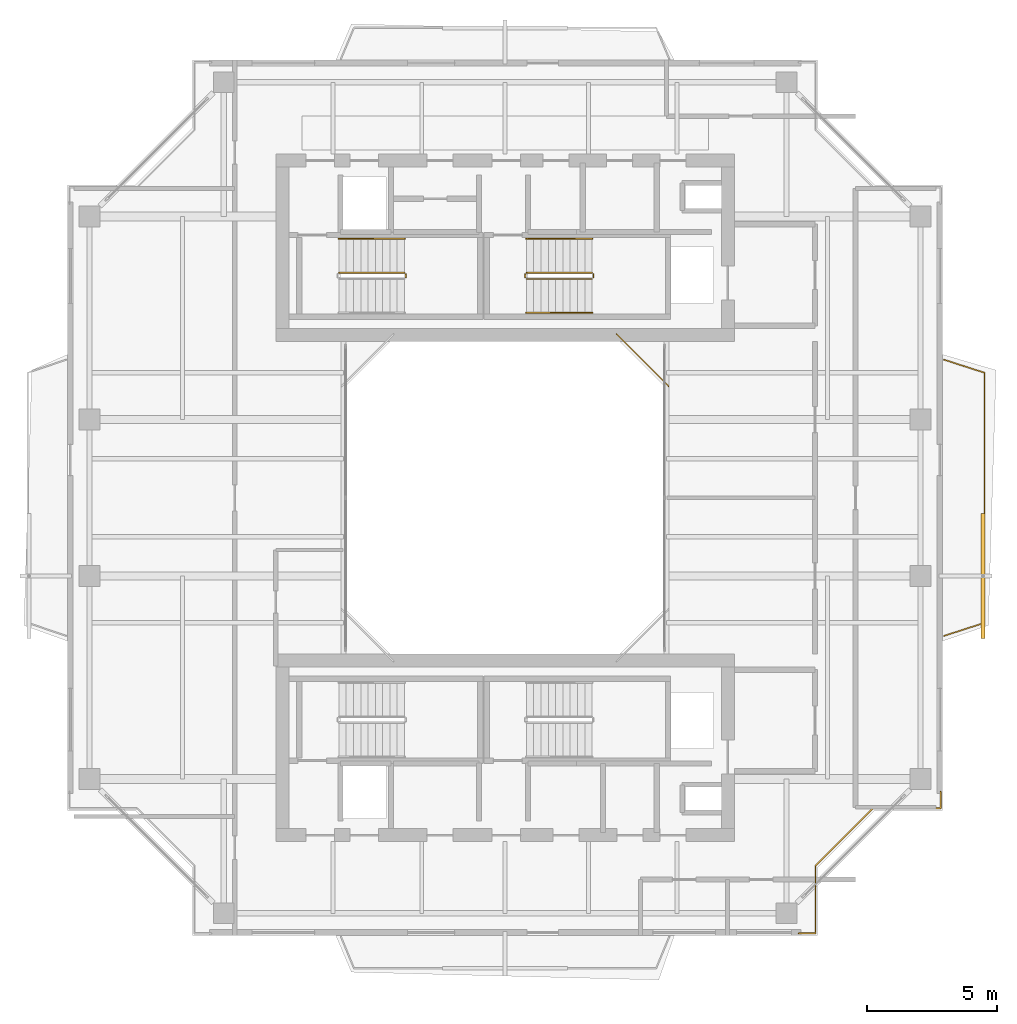
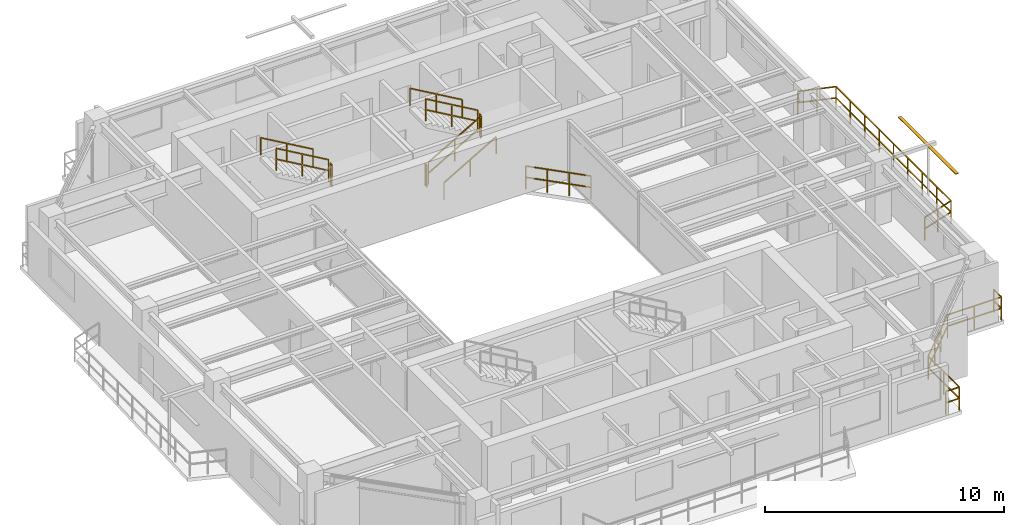
# One storey, part 15 of 16: 12 railings, 1 shading device.
"""IFC4 building model written with IfcOpenShell, lengths in metres."""

from ifc_helpers import new_model, si_unit, direction, frame, origin, origin_2d, place, context, subcontext, project, spatial, rectangle, extrude, source, transform, mapped, material, material_profile, profile_set, type_object, element, save


model = new_model("IFC4")

# Units and contexts
model_context = context("Model", 3, precision=1e-05, world=origin(), true_north=direction((0.0, 1.0)))
body_context = subcontext(model_context, "Body", "Model", "MODEL_VIEW")
ifc_project = project(units=[si_unit("LENGTHUNIT", "METRE"), si_unit("AREAUNIT", "SQUARE_METRE"), si_unit("VOLUMEUNIT", "CUBIC_METRE"), si_unit("PLANEANGLEUNIT", "RADIAN"), si_unit("MASSUNIT", "GRAM", prefix="KILO"), si_unit("THERMODYNAMICTEMPERATUREUNIT", "KELVIN"), si_unit("POWERUNIT", "WATT")], contexts=[model_context])

# Site, building, storey
site_placement = place(None, origin())
site = spatial("IfcSite", under=ifc_project, at=site_placement, CompositionType="ELEMENT")
building_placement = place(site_placement, origin())
building = spatial("IfcBuilding", under=site, at=building_placement, Name="Qiaomeng Ring Towers", CompositionType="ELEMENT")
storey_placement = place(building_placement, frame((0.0, 0.0, 229.5)))
storey = spatial("IfcBuildingStorey", under=building, at=storey_placement, Name="L67", CompositionType="ELEMENT", Elevation=229.5)

# Railings
ifc_material_1 = material(Name="Low-E pale-green laminated safety glass", Category="glass")
railing_type_1 = type_object("IfcRailingType", Name="ARC-RL-BAL1", PredefinedType="BALUSTRADE", material=ifc_material_1)
railing_1_placement = place(storey_placement, frame((25.280029296875, 27.280029296875, 0.0)))
element("IfcRailing", 1, at=railing_1_placement, inside=storey, type_object=railing_type_1, Name="L67 Balustrade ARC-BAL-WELL1-L67-2", PredefinedType="BALUSTRADE", context=body_context, shape_type="SweptSolid", body=[
    extrude(rectangle(XDim=0.048095703125, YDim=0.048095703125, at=origin_2d()), frame((0.0, 0.0, 1.17578125), z_axis=(-0.707106781187, 0.707106781187, 0.0), x_axis=(-0.707106781187, -0.707106781187, 0.0)), (0.0, 0.0, 1.0), 2.828369140625),
    extrude(rectangle(XDim=0.048095703125, YDim=0.048095703125, at=origin_2d()), frame((0.0, 0.0, 0.60009765625), z_axis=(-0.707106781187, 0.707106781187, 0.0), x_axis=(-0.707106781187, -0.707106781187, 0.0)), (0.0, 0.0, 1.0), 2.828369140625),
    extrude(rectangle(XDim=0.0419921875, YDim=0.0419921875, at=origin_2d()), origin(), (0.0, 0.0, 1.0), 1.15185546875),
    extrude(rectangle(XDim=0.0419921875, YDim=0.0419921875, at=origin_2d()), frame((-0.666748046875, 0.666748046875, 0.0)), (0.0, 0.0, 1.0), 1.15185546875),
    extrude(rectangle(XDim=0.0419921875, YDim=0.0419921875, at=origin_2d()), frame((-1.333251953125, 1.333251953125, 0.0)), (0.0, 0.0, 1.0), 1.15185546875),
    extrude(rectangle(XDim=0.0419921875, YDim=0.0419921875, at=origin_2d()), frame((-2.0, 2.0, 0.0)), (0.0, 0.0, 1.0), 1.15185546875),
])
railing_2_placement = place(storey_placement, frame((30.27001953125, 6.280029296875, 0.0)))
element("IfcRailing", 2, at=railing_2_placement, inside=storey, type_object=railing_type_1, Name="L67 Balustrade ARC-BAL-NOTCH1-L67-SE", PredefinedType="BALUSTRADE", context=body_context, shape_type="SweptSolid", body=[
    extrude(rectangle(XDim=0.048095703125, YDim=0.048095703125, at=origin_2d()), frame((0.0, 0.0, 1.17578125), z_axis=(1.0, 0.0, 0.0), x_axis=(0.0, 1.0, 0.0)), (0.0, 0.0, 1.0), 0.64990234375),
    extrude(rectangle(XDim=0.048095703125, YDim=0.048095703125, at=origin_2d()), frame((0.0, 0.0, 0.60009765625), z_axis=(1.0, 0.0, 0.0), x_axis=(0.0, 1.0, 0.0)), (0.0, 0.0, 1.0), 0.64990234375),
    extrude(rectangle(XDim=0.048095703125, YDim=0.048095703125, at=origin_2d()), frame((0.64990234375, 0.0, 1.17578125), z_axis=(0.0, 1.0, 0.0), x_axis=(-1.0, 0.0, 0.0)), (0.0, 0.0, 1.0), 2.599853515625),
    extrude(rectangle(XDim=0.048095703125, YDim=0.048095703125, at=origin_2d()), frame((0.64990234375, 0.0, 0.60009765625), z_axis=(0.0, 1.0, 0.0), x_axis=(-1.0, 0.0, 0.0)), (0.0, 0.0, 1.0), 2.599853515625),
    extrude(rectangle(XDim=0.048095703125, YDim=0.048095703125, at=origin_2d()), frame((0.64990234375, 2.599853515625, 1.17578125), z_axis=(0.707106781187, 0.707106781187, 0.0), x_axis=(-0.707106781187, 0.707106781187, 0.0)), (0.0, 0.0, 1.0), 3.111572265625),
    extrude(rectangle(XDim=0.048095703125, YDim=0.048095703125, at=origin_2d()), frame((0.64990234375, 2.599853515625, 0.60009765625), z_axis=(0.707106781187, 0.707106781187, 0.0), x_axis=(-0.707106781187, 0.707106781187, 0.0)), (0.0, 0.0, 1.0), 3.111572265625),
    extrude(rectangle(XDim=0.048095703125, YDim=0.048095703125, at=origin_2d()), frame((2.85009765625, 4.800048828125, 1.17578125), z_axis=(1.0, 0.0, 0.0), x_axis=(0.0, 1.0, 0.0)), (0.0, 0.0, 1.0), 2.599853515625),
    extrude(rectangle(XDim=0.048095703125, YDim=0.048095703125, at=origin_2d()), frame((2.85009765625, 4.800048828125, 0.60009765625), z_axis=(1.0, 0.0, 0.0), x_axis=(0.0, 1.0, 0.0)), (0.0, 0.0, 1.0), 2.599853515625),
    extrude(rectangle(XDim=0.048095703125, YDim=0.048095703125, at=origin_2d()), frame((5.449951171875, 4.800048828125, 1.17578125), z_axis=(0.0, 1.0, 0.0), x_axis=(-1.0, 0.0, 0.0)), (0.0, 0.0, 1.0), 0.64990234375),
    extrude(rectangle(XDim=0.048095703125, YDim=0.048095703125, at=origin_2d()), frame((5.449951171875, 4.800048828125, 0.60009765625), z_axis=(0.0, 1.0, 0.0), x_axis=(-1.0, 0.0, 0.0)), (0.0, 0.0, 1.0), 0.64990234375),
    extrude(rectangle(XDim=0.0419921875, YDim=0.0419921875, at=origin_2d()), origin(), (0.0, 0.0, 1.0), 1.15185546875),
    extrude(rectangle(XDim=0.0419921875, YDim=0.0419921875, at=origin_2d()), frame((0.64990234375, 0.0, 0.0)), (0.0, 0.0, 1.0), 1.15185546875),
    extrude(rectangle(XDim=0.0419921875, YDim=0.0419921875, at=origin_2d()), frame((0.64990234375, 1.2998046875, 0.0)), (0.0, 0.0, 1.0), 1.15185546875),
    extrude(rectangle(XDim=0.0419921875, YDim=0.0419921875, at=origin_2d()), frame((0.64990234375, 2.599853515625, 0.0)), (0.0, 0.0, 1.0), 1.15185546875),
    extrude(rectangle(XDim=0.0419921875, YDim=0.0419921875, at=origin_2d()), frame((1.38330078125, 3.333251953125, 0.0)), (0.0, 0.0, 1.0), 1.15185546875),
    extrude(rectangle(XDim=0.0419921875, YDim=0.0419921875, at=origin_2d()), frame((2.11669921875, 4.066650390625, 0.0)), (0.0, 0.0, 1.0), 1.15185546875),
    extrude(rectangle(XDim=0.0419921875, YDim=0.0419921875, at=origin_2d()), frame((2.85009765625, 4.800048828125, 0.0)), (0.0, 0.0, 1.0), 1.15185546875),
    extrude(rectangle(XDim=0.0419921875, YDim=0.0419921875, at=origin_2d()), frame((4.14990234375, 4.800048828125, 0.0)), (0.0, 0.0, 1.0), 1.15185546875),
    extrude(rectangle(XDim=0.0419921875, YDim=0.0419921875, at=origin_2d()), frame((5.449951171875, 4.800048828125, 0.0)), (0.0, 0.0, 1.0), 1.15185546875),
    extrude(rectangle(XDim=0.0419921875, YDim=0.0419921875, at=origin_2d()), frame((5.449951171875, 5.449951171875, 0.0)), (0.0, 0.0, 1.0), 1.15185546875),
])
railing_3_placement = place(storey_placement, frame((35.85009765625, 17.699951171875, 0.0)))
element("IfcRailing", 3, at=railing_3_placement, inside=storey, type_object=railing_type_1, Name="L67 Balustrade ARC-BAL-L67-T1-E", PredefinedType="BALUSTRADE", context=body_context, shape_type="SweptSolid", body=[
    extrude(rectangle(XDim=0.048095703125, YDim=0.048095703125, at=origin_2d()), frame((0.0, 0.0, 1.17578125), z_axis=(0.951697313001, 0.307037822468, 0.0), x_axis=(-0.307037822468, 0.951697313001, 0.0)), (0.0, 0.0, 1.0), 1.62841796875),
    extrude(rectangle(XDim=0.048095703125, YDim=0.048095703125, at=origin_2d()), frame((0.0, 0.0, 0.60009765625), z_axis=(0.951697313001, 0.307037822468, 0.0), x_axis=(-0.307037822468, 0.951697313001, 0.0)), (0.0, 0.0, 1.0), 1.62841796875),
    extrude(rectangle(XDim=0.048095703125, YDim=0.048095703125, at=origin_2d()), frame((1.5498046875, 0.5, 1.17578125), z_axis=(0.0, 1.0, 0.0), x_axis=(-1.0, 0.0, 0.0)), (0.0, 0.0, 1.0), 9.60009765625),
    extrude(rectangle(XDim=0.048095703125, YDim=0.048095703125, at=origin_2d()), frame((1.5498046875, 0.5, 0.60009765625), z_axis=(0.0, 1.0, 0.0), x_axis=(-1.0, 0.0, 0.0)), (0.0, 0.0, 1.0), 9.60009765625),
    extrude(rectangle(XDim=0.048095703125, YDim=0.048095703125, at=origin_2d()), frame((1.5498046875, 10.10009765625, 1.17578125), z_axis=(-0.951697313001, 0.307037822468, 0.0), x_axis=(-0.307037822468, -0.951697313001, 0.0)), (0.0, 0.0, 1.0), 1.62841796875),
    extrude(rectangle(XDim=0.048095703125, YDim=0.048095703125, at=origin_2d()), frame((1.5498046875, 10.10009765625, 0.60009765625), z_axis=(-0.951697313001, 0.307037822468, 0.0), x_axis=(-0.307037822468, -0.951697313001, 0.0)), (0.0, 0.0, 1.0), 1.62841796875),
    extrude(rectangle(XDim=0.0419921875, YDim=0.0419921875, at=origin_2d()), origin(), (0.0, 0.0, 1.0), 1.15185546875),
    extrude(rectangle(XDim=0.0419921875, YDim=0.0419921875, at=origin_2d()), frame((0.77490234375, 0.25, 0.0)), (0.0, 0.0, 1.0), 1.15185546875),
    extrude(rectangle(XDim=0.0419921875, YDim=0.0419921875, at=origin_2d()), frame((1.5498046875, 0.5, 0.0)), (0.0, 0.0, 1.0), 1.15185546875),
    extrude(rectangle(XDim=0.0419921875, YDim=0.0419921875, at=origin_2d()), frame((1.5498046875, 1.699951171875, 0.0)), (0.0, 0.0, 1.0), 1.15185546875),
    extrude(rectangle(XDim=0.0419921875, YDim=0.0419921875, at=origin_2d()), frame((1.5498046875, 2.89990234375, 0.0)), (0.0, 0.0, 1.0), 1.15185546875),
    extrude(rectangle(XDim=0.0419921875, YDim=0.0419921875, at=origin_2d()), frame((1.5498046875, 4.10009765625, 0.0)), (0.0, 0.0, 1.0), 1.15185546875),
    extrude(rectangle(XDim=0.0419921875, YDim=0.0419921875, at=origin_2d()), frame((1.5498046875, 5.300048828125, 0.0)), (0.0, 0.0, 1.0), 1.15185546875),
    extrude(rectangle(XDim=0.0419921875, YDim=0.0419921875, at=origin_2d()), frame((1.5498046875, 6.5, 0.0)), (0.0, 0.0, 1.0), 1.15185546875),
    extrude(rectangle(XDim=0.0419921875, YDim=0.0419921875, at=origin_2d()), frame((1.5498046875, 7.7001953125, 0.0)), (0.0, 0.0, 1.0), 1.15185546875),
    extrude(rectangle(XDim=0.0419921875, YDim=0.0419921875, at=origin_2d()), frame((1.5498046875, 8.900146484375, 0.0)), (0.0, 0.0, 1.0), 1.15185546875),
    extrude(rectangle(XDim=0.0419921875, YDim=0.0419921875, at=origin_2d()), frame((1.5498046875, 10.10009765625, 0.0)), (0.0, 0.0, 1.0), 1.15185546875),
    extrude(rectangle(XDim=0.0419921875, YDim=0.0419921875, at=origin_2d()), frame((0.77490234375, 10.35009765625, 0.0)), (0.0, 0.0, 1.0), 1.15185546875),
    extrude(rectangle(XDim=0.0419921875, YDim=0.0419921875, at=origin_2d()), frame((0.0, 10.60009765625, 0.0)), (0.0, 0.0, 1.0), 1.15185546875),
])
ifc_material_2 = material(Name="Galvanised steel", Category="steel")
railing_type_2 = type_object("IfcRailingType", Name="ARC-RL-GUARD", PredefinedType="GUARDRAIL", material=ifc_material_2)
railing_4_placement = place(storey_placement, frame((15.18994140625, 31.449951171875, 1.625)))
element("IfcRailing", 4, at=railing_4_placement, inside=storey, type_object=railing_type_2, Name="L67 ST1 stair guard 2", PredefinedType="GUARDRAIL", context=body_context, shape_type="SweptSolid", body=[
    extrude(rectangle(XDim=0.048095703125, YDim=0.048095703125, at=origin_2d()), frame((0.0, 0.0, 1.1259765625), z_axis=(0.0, 1.0, 0.0), x_axis=(-1.0, 0.0, 0.0)), (0.0, 0.0, 1.0), 0.14013671875),
    extrude(rectangle(XDim=0.048095703125, YDim=0.048095703125, at=origin_2d()), frame((0.0, 0.0, 0.574951171875), z_axis=(0.0, 1.0, 0.0), x_axis=(-1.0, 0.0, 0.0)), (0.0, 0.0, 1.0), 0.14013671875),
    extrude(rectangle(XDim=0.0419921875, YDim=0.0419921875, at=origin_2d()), origin(), (0.0, 0.0, 1.0), 1.101806640625),
    extrude(rectangle(XDim=0.0419921875, YDim=0.0419921875, at=origin_2d()), frame((0.0, 0.14013671875, 0.0)), (0.0, 0.0, 1.0), 1.101806640625),
])
railing_5_placement = place(storey_placement, frame((15.139892578125, 31.639892578125, 1.78759765625)))
element("IfcRailing", 5, at=railing_5_placement, inside=storey, type_object=railing_type_2, Name="L67 ST1 stair guard 3", PredefinedType="GUARDRAIL", context=body_context, shape_type="SweptSolid", body=[
    extrude(rectangle(XDim=0.048095703125, YDim=0.048095703125, at=origin_2d()), frame((0.0, 0.0, 1.1259765625), z_axis=(-0.864892226395, 0.0, 0.501957604506), x_axis=(0.0, -1.0, 0.0)), (0.0, 0.0, 1.0), 2.913330078125),
    extrude(rectangle(XDim=0.048095703125, YDim=0.048095703125, at=origin_2d()), frame((0.0, 0.0, 0.574951171875), z_axis=(-0.864892226395, 0.0, 0.501957604506), x_axis=(0.0, -1.0, 0.0)), (0.0, 0.0, 1.0), 2.913330078125),
    extrude(rectangle(XDim=0.0419921875, YDim=0.0419921875, at=origin_2d()), origin(), (0.0, 0.0, 1.0), 1.101806640625),
    extrude(rectangle(XDim=0.0419921875, YDim=0.0419921875, at=origin_2d()), frame((-1.259765625, 0.0, 0.731201171875)), (0.0, 0.0, 1.0), 1.101806640625),
    extrude(rectangle(XDim=0.0419921875, YDim=0.0419921875, at=origin_2d()), frame((-2.519775390625, 0.0, 1.46240234375)), (0.0, 0.0, 1.0), 1.101806640625),
])
railing_6_placement = place(storey_placement, frame((19.820068359375, 31.39990234375, 0.16259765625)))
element("IfcRailing", 6, at=railing_6_placement, inside=storey, type_object=railing_type_2, Name="L67 ST2 stair guard 1", PredefinedType="GUARDRAIL", context=body_context, shape_type="SweptSolid", body=[
    extrude(rectangle(XDim=0.048095703125, YDim=0.048095703125, at=origin_2d()), frame((0.0, 0.0, 1.1259765625), z_axis=(0.864913338283, 0.0, 0.50192122615), x_axis=(0.0, 1.0, 0.0)), (0.0, 0.0, 1.0), 2.91357421875),
    extrude(rectangle(XDim=0.048095703125, YDim=0.048095703125, at=origin_2d()), frame((0.0, 0.0, 0.574951171875), z_axis=(0.864913338283, 0.0, 0.50192122615), x_axis=(0.0, 1.0, 0.0)), (0.0, 0.0, 1.0), 2.91357421875),
    extrude(rectangle(XDim=0.0419921875, YDim=0.0419921875, at=origin_2d()), origin(), (0.0, 0.0, 1.0), 1.101806640625),
    extrude(rectangle(XDim=0.0419921875, YDim=0.0419921875, at=origin_2d()), frame((1.260009765625, 0.0, 0.731201171875)), (0.0, 0.0, 1.0), 1.101806640625),
    extrude(rectangle(XDim=0.0419921875, YDim=0.0419921875, at=origin_2d()), frame((2.52001953125, 0.0, 1.46240234375)), (0.0, 0.0, 1.0), 1.101806640625),
])
railing_7_placement = place(storey_placement, frame((22.389892578125, 31.449951171875, 1.625)))
element("IfcRailing", 7, at=railing_7_placement, inside=storey, type_object=railing_type_2, Name="L67 ST2 stair guard 2", PredefinedType="GUARDRAIL", context=body_context, shape_type="SweptSolid", body=[
    extrude(rectangle(XDim=0.048095703125, YDim=0.048095703125, at=origin_2d()), frame((0.0, 0.0, 1.1259765625), z_axis=(0.0, 1.0, 0.0), x_axis=(-1.0, 0.0, 0.0)), (0.0, 0.0, 1.0), 0.14013671875),
    extrude(rectangle(XDim=0.048095703125, YDim=0.048095703125, at=origin_2d()), frame((0.0, 0.0, 0.574951171875), z_axis=(0.0, 1.0, 0.0), x_axis=(-1.0, 0.0, 0.0)), (0.0, 0.0, 1.0), 0.14013671875),
    extrude(rectangle(XDim=0.0419921875, YDim=0.0419921875, at=origin_2d()), origin(), (0.0, 0.0, 1.0), 1.101806640625),
    extrude(rectangle(XDim=0.0419921875, YDim=0.0419921875, at=origin_2d()), frame((0.0, 0.14013671875, 0.0)), (0.0, 0.0, 1.0), 1.101806640625),
])
railing_8_placement = place(storey_placement, frame((22.340087890625, 31.639892578125, 1.78759765625)))
element("IfcRailing", 8, at=railing_8_placement, inside=storey, type_object=railing_type_2, Name="L67 ST2 stair guard 3", PredefinedType="GUARDRAIL", context=body_context, shape_type="SweptSolid", body=[
    extrude(rectangle(XDim=0.048095703125, YDim=0.048095703125, at=origin_2d()), frame((0.0, 0.0, 1.1259765625), z_axis=(-0.864913338283, 0.0, 0.50192122615), x_axis=(0.0, -1.0, 0.0)), (0.0, 0.0, 1.0), 2.91357421875),
    extrude(rectangle(XDim=0.048095703125, YDim=0.048095703125, at=origin_2d()), frame((0.0, 0.0, 0.574951171875), z_axis=(-0.864913338283, 0.0, 0.50192122615), x_axis=(0.0, -1.0, 0.0)), (0.0, 0.0, 1.0), 2.91357421875),
    extrude(rectangle(XDim=0.0419921875, YDim=0.0419921875, at=origin_2d()), origin(), (0.0, 0.0, 1.0), 1.101806640625),
    extrude(rectangle(XDim=0.0419921875, YDim=0.0419921875, at=origin_2d()), frame((-1.260009765625, 0.0, 0.731201171875)), (0.0, 0.0, 1.0), 1.101806640625),
    extrude(rectangle(XDim=0.0419921875, YDim=0.0419921875, at=origin_2d()), frame((-2.52001953125, 0.0, 1.46240234375)), (0.0, 0.0, 1.0), 1.101806640625),
])
railing_9_placement = place(storey_placement, frame((19.77001953125, 31.449951171875, 0.0)))
element("IfcRailing", 9, at=railing_9_placement, inside=storey, type_object=railing_type_2, Name="L67 ST2 stair guard 4", PredefinedType="GUARDRAIL", context=body_context, shape_type="SweptSolid", body=[
    extrude(rectangle(XDim=0.048095703125, YDim=0.048095703125, at=origin_2d()), frame((0.0, 0.0, 1.1259765625), z_axis=(0.0, 1.0, 0.0), x_axis=(-1.0, 0.0, 0.0)), (0.0, 0.0, 1.0), 0.14013671875),
    extrude(rectangle(XDim=0.048095703125, YDim=0.048095703125, at=origin_2d()), frame((0.0, 0.0, 0.574951171875), z_axis=(0.0, 1.0, 0.0), x_axis=(-1.0, 0.0, 0.0)), (0.0, 0.0, 1.0), 0.14013671875),
    extrude(rectangle(XDim=0.0419921875, YDim=0.0419921875, at=origin_2d()), origin(), (0.0, 0.0, 1.0), 1.101806640625),
    extrude(rectangle(XDim=0.0419921875, YDim=0.0419921875, at=origin_2d()), frame((0.0, 0.14013671875, 0.0)), (0.0, 0.0, 1.0), 1.101806640625),
])
ifc_material_3 = material(Name="Stainless steel 316", Category="steel")
railing_type_3 = type_object("IfcRailingType", Name="ARC-RL-HAND", PredefinedType="HANDRAIL", material=ifc_material_3)
railing_10_placement = place(storey_placement, frame((15.139892578125, 32.93994140625, 1.78759765625)))
element("IfcRailing", 10, at=railing_10_placement, inside=storey, type_object=railing_type_3, Name="L67 ST1 stair handrail 2", PredefinedType="HANDRAIL", context=body_context, shape_type="SweptSolid", body=[
    extrude(rectangle(XDim=0.048095703125, YDim=0.048095703125, at=origin_2d()), frame((0.0, 0.0, 0.8759765625), z_axis=(-0.864892226395, 0.0, 0.501957604506), x_axis=(0.0, -1.0, 0.0)), (0.0, 0.0, 1.0), 2.913330078125),
    extrude(rectangle(XDim=0.0419921875, YDim=0.0419921875, at=origin_2d()), origin(), (0.0, 0.0, 1.0), 0.851806640625),
    extrude(rectangle(XDim=0.0419921875, YDim=0.0419921875, at=origin_2d()), frame((-1.259765625, 0.0, 0.731201171875)), (0.0, 0.0, 1.0), 0.851806640625),
    extrude(rectangle(XDim=0.0419921875, YDim=0.0419921875, at=origin_2d()), frame((-2.519775390625, 0.0, 1.46240234375)), (0.0, 0.0, 1.0), 0.851806640625),
])
railing_11_placement = place(storey_placement, frame((19.820068359375, 30.10009765625, 0.16259765625)))
element("IfcRailing", 11, at=railing_11_placement, inside=storey, type_object=railing_type_3, Name="L67 ST2 stair handrail 1", PredefinedType="HANDRAIL", context=body_context, shape_type="SweptSolid", body=[
    extrude(rectangle(XDim=0.048095703125, YDim=0.048095703125, at=origin_2d()), frame((0.0, 0.0, 0.8759765625), z_axis=(0.864913338283, 0.0, 0.50192122615), x_axis=(0.0, 1.0, 0.0)), (0.0, 0.0, 1.0), 2.91357421875),
    extrude(rectangle(XDim=0.0419921875, YDim=0.0419921875, at=origin_2d()), origin(), (0.0, 0.0, 1.0), 0.851806640625),
    extrude(rectangle(XDim=0.0419921875, YDim=0.0419921875, at=origin_2d()), frame((1.260009765625, 0.0, 0.731201171875)), (0.0, 0.0, 1.0), 0.851806640625),
    extrude(rectangle(XDim=0.0419921875, YDim=0.0419921875, at=origin_2d()), frame((2.52001953125, 0.0, 1.46240234375)), (0.0, 0.0, 1.0), 0.851806640625),
])
railing_12_placement = place(storey_placement, frame((22.340087890625, 32.93994140625, 1.78759765625)))
element("IfcRailing", 12, at=railing_12_placement, inside=storey, type_object=railing_type_3, Name="L67 ST2 stair handrail 2", PredefinedType="HANDRAIL", context=body_context, shape_type="SweptSolid", body=[
    extrude(rectangle(XDim=0.048095703125, YDim=0.048095703125, at=origin_2d()), frame((0.0, 0.0, 0.8759765625), z_axis=(-0.864913338283, 0.0, 0.50192122615), x_axis=(0.0, -1.0, 0.0)), (0.0, 0.0, 1.0), 2.91357421875),
    extrude(rectangle(XDim=0.0419921875, YDim=0.0419921875, at=origin_2d()), origin(), (0.0, 0.0, 1.0), 0.851806640625),
    extrude(rectangle(XDim=0.0419921875, YDim=0.0419921875, at=origin_2d()), frame((-1.260009765625, 0.0, 0.731201171875)), (0.0, 0.0, 1.0), 0.851806640625),
    extrude(rectangle(XDim=0.0419921875, YDim=0.0419921875, at=origin_2d()), frame((-2.52001953125, 0.0, 1.46240234375)), (0.0, 0.0, 1.0), 0.851806640625),
])

# Shading device
ifc_material_4 = material(Name="Fluorocarbon dark-grey aluminium", Category="aluminium")
ifc_material_profile = material_profile(ifc_material_4, rectangle(XDim=0.14990234375, YDim=0.034912109375, at=origin_2d()), Name="LV BLADE 150x35")
ifc_profile_set = profile_set([ifc_material_profile], Name="Fluorocarbon dark-grey aluminium")
shading_device_type = type_object("IfcShadingDeviceType", Name="ARC-SHD-SUN", PredefinedType="AWNING", material=ifc_profile_set)
shared_shape = source(origin(), body_context, "Body", "SweptSolid", [
    extrude(rectangle(XDim=0.14990234375, YDim=0.034912109375, at=origin_2d()), origin(), (0.0, 0.0, 1.0), 4.7998046875),
])
shading_device_placement = place(storey_placement, frame((37.35009765625, 17.60009765625, 2.929931640625), z_axis=(0.0, 1.0, 0.0), x_axis=(-1.0, 0.0, 0.0)))
element("IfcShadingDevice", 13, at=shading_device_placement, inside=storey, type_object=shading_device_type, Name="L67 Ventilated Outer-Skin Sunshade E", PredefinedType="AWNING", context=body_context, shape_type="MappedRepresentation", body=[
    mapped(shared_shape, transform((0.0, 0.0, 0.0), x_axis=(1.0, 0.0, 0.0), y_axis=(0.0, 1.0, 0.0), z_axis=(0.0, 0.0, 1.0), scale=1.0)),
])

save(model, "model.ifc")
